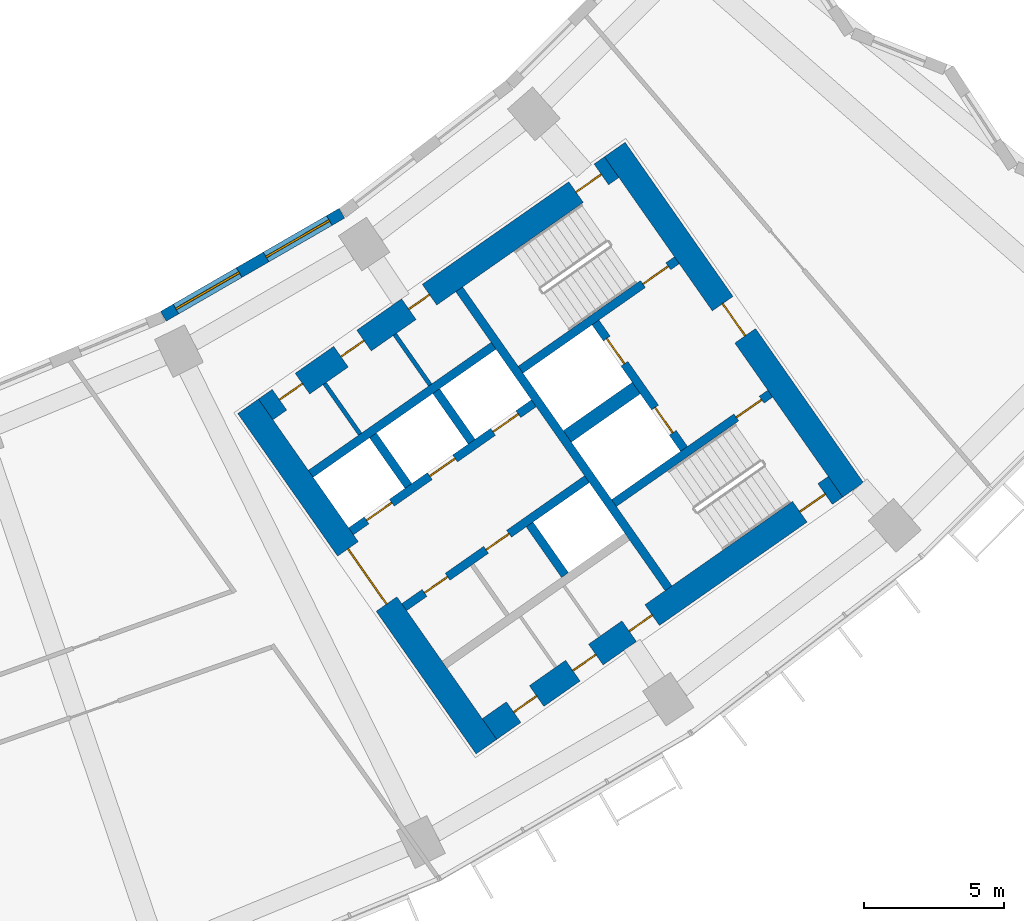
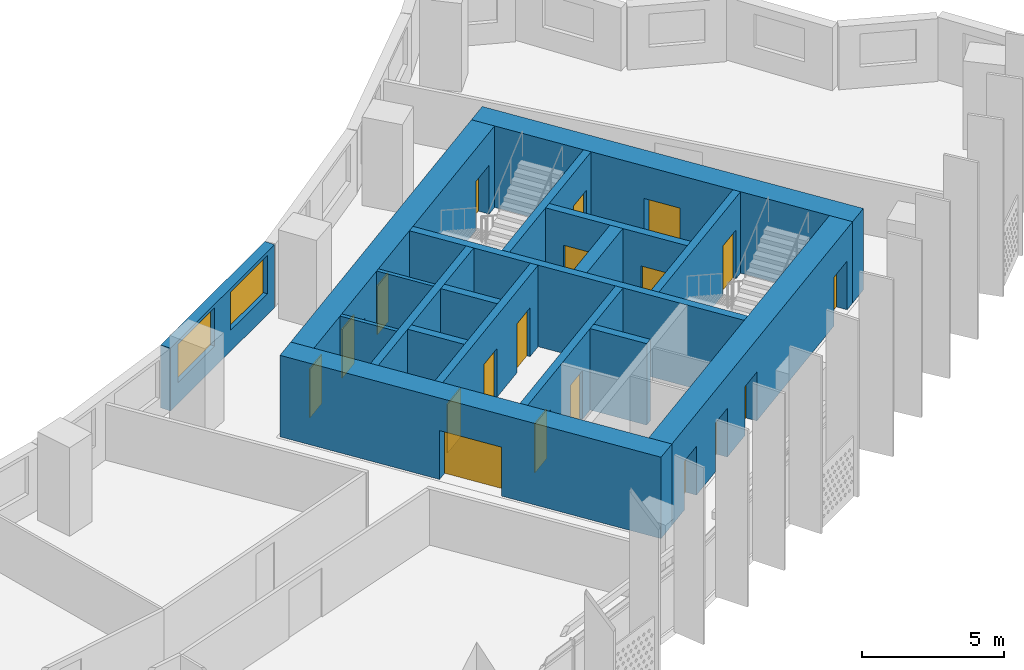
# One storey, part 7 of 30: 19 doors, 18 walls, 2 windows, 21 openings.
"""IFC4 building model written with IfcOpenShell, lengths in metres."""

from ifc_helpers import new_model, si_unit, direction, frame, frame_2d, origin, place, context, subcontext, project, spatial, rectangle, extrude, material, layer, layer_set, type_object, element, fill, save


model = new_model("IFC4")

# Units and contexts
model_context = context("Model", 3, precision=1e-05, world=origin(), true_north=direction((0.0, 1.0)))
body_context = subcontext(model_context, "Body", "Model", "MODEL_VIEW")
ifc_project = project(units=[si_unit("LENGTHUNIT", "METRE"), si_unit("AREAUNIT", "SQUARE_METRE"), si_unit("VOLUMEUNIT", "CUBIC_METRE"), si_unit("PLANEANGLEUNIT", "RADIAN"), si_unit("MASSUNIT", "GRAM", prefix="KILO")], contexts=[model_context])

# Site, building, storey
site_placement = place(None, origin())
site = spatial("IfcSite", under=ifc_project, at=site_placement, CompositionType="ELEMENT")
building_placement = place(site_placement, origin())
building = spatial("IfcBuilding", under=site, at=building_placement, Name="Qamariyya Broadcast Tower", CompositionType="ELEMENT")
storey_placement = place(building_placement, frame((0.0, 0.0, 117.699951171875)))
storey = spatial("IfcBuildingStorey", under=building, at=storey_placement, Name="L26", CompositionType="ELEMENT", Elevation=117.699951171875)

# Wall, opening, door
ifc_material_1 = material(Name="Concrete C70/85", Category="concrete")
ifc_layer_1 = layer(ifc_material_1, 0.89990234375)
ifc_layer_set_1 = layer_set([ifc_layer_1], Name="Core wall 900 mm Concrete C70/85")
wall_type_1 = type_object("IfcWallType", Name="Core wall 900 mm Concrete C70/85", PredefinedType="SHEAR", material=ifc_layer_set_1)
wall_1_placement = place(storey_placement, frame((36.716796875, -66.3369140625, 0.0), z_axis=(0.0, 0.0, 1.0), x_axis=(-0.573577477574, 0.819151315216, 0.0)))
wall_1 = element("IfcWall", 1, at=wall_1_placement, inside=storey, type_object=wall_type_1, Name="k-E-L26-WA", PredefinedType="SHEAR", context=body_context, shape_type="SweptSolid", body=[
    extrude(rectangle(XDim=14.800048828125, YDim=0.89990234375, at=frame_2d((7.39990234375, 0.0))), origin(), (0.0, 0.0, 1.0), 3.5),
])
opening_1_placement = place(wall_1_placement, frame((6.199951171875, 0.0, 0.0)))
opening_1 = element("IfcOpeningElement", 2, at=opening_1_placement, cuts=wall_1, Name="Opening KD3-E1", PredefinedType="OPENING", context=body_context, shape_type="SweptSolid", body=[
    extrude(rectangle(XDim=2.39990234375, YDim=2.10009765625, at=frame_2d((1.199951171875, 1.050048828125))), frame((0.0, 0.4599609375, 0.0), z_axis=(0.0, -1.0, 0.0), x_axis=(1.0, 0.0, 0.0)), (0.0, 0.0, 1.0), 0.919921875),
])
ifc_material_2 = material(Name="Steel fire-resisting door leaf", Category="steel")
door_type_1 = type_object("IfcDoorType", Name="Lift lobby door KD3", OperationType="DOUBLE_DOOR_SINGLE_SWING", PredefinedType="DOOR", material=ifc_material_2)
door_1_placement = place(opening_1_placement, origin())
door_1 = element("IfcDoor", 3, at=door_1_placement, inside=storey, type_object=door_type_1, Name="k-E-L26-WA-D1", OperationType="DOUBLE_DOOR_SINGLE_SWING", OverallHeight=2.10009765625, OverallWidth=2.39990234375, PredefinedType="DOOR", context=body_context, shape_type="SweptSolid", body=[
    extrude(rectangle(XDim=2.39990234375, YDim=2.10009765625, at=frame_2d((1.199951171875, 1.050048828125))), frame((0.0, 0.02490234375, 0.0), z_axis=(0.0, -1.0, 0.0), x_axis=(1.0, 0.0, 0.0)), (0.0, 0.0, 1.0), 0.050048828125),
])
fill(opening_1, door_1)

wall_2_placement = place(storey_placement, frame((49.778564453125, -57.191162109375, 0.0), z_axis=(0.0, 0.0, 1.0), x_axis=(-0.573577477574, 0.819151315216, 0.0)))
wall_2 = element("IfcWall", 4, at=wall_2_placement, inside=storey, type_object=wall_type_1, Name="k-E-L26-WH", PredefinedType="SHEAR", context=body_context, shape_type="SweptSolid", body=[
    extrude(rectangle(XDim=14.800048828125, YDim=0.89990234375, at=frame_2d((7.39990234375, 0.0))), origin(), (0.0, 0.0, 1.0), 3.5),
])
opening_2_placement = place(wall_2_placement, frame((6.699951171875, 0.0, 0.0)))
opening_2 = element("IfcOpeningElement", 5, at=opening_2_placement, cuts=wall_2, Name="Opening KD2-E1", PredefinedType="OPENING", context=body_context, shape_type="SweptSolid", body=[
    extrude(rectangle(XDim=1.39990234375, YDim=2.10009765625, at=frame_2d((0.699951171875, 1.050048828125))), frame((0.0, 0.4599609375, 0.0), z_axis=(0.0, -1.0, 0.0), x_axis=(1.0, 0.0, 0.0)), (0.0, 0.0, 1.0), 0.919921875),
])
door_type_2 = type_object("IfcDoorType", Name="Fire-fighting lobby door KD2", OperationType="DOUBLE_DOOR_SINGLE_SWING", PredefinedType="DOOR", material=ifc_material_2)
door_2_placement = place(opening_2_placement, origin())
door_2 = element("IfcDoor", 6, at=door_2_placement, inside=storey, type_object=door_type_2, Name="k-E-L26-WH-D15", OperationType="DOUBLE_DOOR_SINGLE_SWING", OverallHeight=2.10009765625, OverallWidth=1.39990234375, PredefinedType="DOOR", context=body_context, shape_type="SweptSolid", body=[
    extrude(rectangle(XDim=1.39990234375, YDim=2.10009765625, at=frame_2d((0.699951171875, 1.050048828125))), frame((0.0, 0.02490234375, 0.0), z_axis=(0.0, -1.0, 0.0), x_axis=(1.0, 0.0, 0.0)), (0.0, 0.0, 1.0), 0.050048828125),
])
fill(opening_2, door_2)

# Wall, openings, doors
wall_3_placement = place(storey_placement, frame((28.8544921875, -54.32421875, 0.0), z_axis=(0.0, 0.0, 1.0), x_axis=(0.819145767589, 0.573585400304, 0.0)))
wall_3 = element("IfcWall", 7, at=wall_3_placement, inside=storey, type_object=wall_type_1, Name="k-E-L26-WI", PredefinedType="SHEAR", context=body_context, shape_type="SweptSolid", body=[
    extrude(rectangle(XDim=15.04541015625, YDim=0.89990234375, at=frame_2d((7.522705078125, 0.0))), origin(), (0.0, 0.0, 1.0), 3.5),
])
opening_3_placement = place(wall_3_placement, frame((0.60009765625, 0.0, 0.0)))
opening_3 = element("IfcOpeningElement", 8, at=opening_3_placement, cuts=wall_3, Name="Opening KD7-E1", PredefinedType="OPENING", context=body_context, shape_type="SweptSolid", body=[
    extrude(rectangle(XDim=1.0, YDim=2.10009765625, at=frame_2d((0.5, 1.050048828125))), frame((0.0, 0.4599609375, 0.0), z_axis=(0.0, -1.0, 0.0), x_axis=(1.0, 0.0, 0.0)), (0.0, 0.0, 1.0), 0.919921875),
])
opening_4_placement = place(wall_3_placement, frame((3.27490234375, 0.0, 0.0)))
opening_4 = element("IfcOpeningElement", 9, at=opening_4_placement, cuts=wall_3, Name="Opening KD6-E2", PredefinedType="OPENING", context=body_context, shape_type="SweptSolid", body=[
    extrude(rectangle(XDim=1.0, YDim=2.10009765625, at=frame_2d((0.5, 1.050048828125))), frame((0.0, 0.4599609375, 0.0), z_axis=(0.0, -1.0, 0.0), x_axis=(1.0, 0.0, 0.0)), (0.0, 0.0, 1.0), 0.919921875),
])
opening_5_placement = place(wall_3_placement, frame((6.22509765625, 0.0, 0.0)))
opening_5 = element("IfcOpeningElement", 10, at=opening_5_placement, cuts=wall_3, Name="Opening KD5-E1", PredefinedType="OPENING", context=body_context, shape_type="SweptSolid", body=[
    extrude(rectangle(XDim=0.89990234375, YDim=2.10009765625, at=frame_2d((0.449951171875, 1.050048828125))), frame((0.0, 0.4599609375, 0.0), z_axis=(0.0, -1.0, 0.0), x_axis=(1.0, 0.0, 0.0)), (0.0, 0.0, 1.0), 0.919921875),
])
opening_6_placement = place(wall_3_placement, frame((13.495361328125, 0.0, 0.0)))
opening_6 = element("IfcOpeningElement", 11, at=opening_6_placement, cuts=wall_3, Name="Opening KD1-E1", PredefinedType="OPENING", context=body_context, shape_type="SweptSolid", body=[
    extrude(rectangle(XDim=1.10009765625, YDim=2.10009765625, at=frame_2d((0.550048828125, 1.050048828125))), frame((0.0, 0.4599609375, 0.0), z_axis=(0.0, -1.0, 0.0), x_axis=(1.0, 0.0, 0.0)), (0.0, 0.0, 1.0), 0.919921875),
])
door_type_3 = type_object("IfcDoorType", Name="Accessible toilet door KD7", OperationType="SINGLE_SWING_LEFT", PredefinedType="DOOR", material=ifc_material_2)
door_3_placement = place(opening_3_placement, origin())
door_3 = element("IfcDoor", 12, at=door_3_placement, inside=storey, type_object=door_type_3, Name="k-E-L26-WI-D7", OperationType="SINGLE_SWING_LEFT", OverallHeight=2.10009765625, OverallWidth=1.0, PredefinedType="DOOR", context=body_context, shape_type="SweptSolid", body=[
    extrude(rectangle(XDim=1.0, YDim=2.10009765625, at=frame_2d((0.5, 1.050048828125))), frame((0.0, 0.02490234375, 0.0), z_axis=(0.0, -1.0, 0.0), x_axis=(1.0, 0.0, 0.0)), (0.0, 0.0, 1.0), 0.050048828125),
])
fill(opening_3, door_3)
door_type_4 = type_object("IfcDoorType", Name="Core room door KD6", OperationType="SINGLE_SWING_LEFT", PredefinedType="DOOR", material=ifc_material_2)
door_4_placement = place(opening_4_placement, origin())
door_4 = element("IfcDoor", 13, at=door_4_placement, inside=storey, type_object=door_type_4, Name="k-E-L26-WI-D8", OperationType="SINGLE_SWING_RIGHT", OverallHeight=2.10009765625, OverallWidth=1.0, PredefinedType="DOOR", context=body_context, shape_type="SweptSolid", body=[
    extrude(rectangle(XDim=1.0, YDim=2.10009765625, at=frame_2d((0.5, 1.050048828125))), frame((0.0, 0.02490234375, 0.0), z_axis=(0.0, -1.0, 0.0), x_axis=(1.0, 0.0, 0.0)), (0.0, 0.0, 1.0), 0.050048828125),
])
fill(opening_4, door_4)
door_type_5 = type_object("IfcDoorType", Name="Stair door KD1", OperationType="SINGLE_SWING_LEFT", PredefinedType="DOOR", material=ifc_material_2)
door_5_placement = place(opening_6_placement, origin())
door_5 = element("IfcDoor", 14, at=door_5_placement, inside=storey, type_object=door_type_5, Name="k-E-L26-WI-D16", OperationType="SINGLE_SWING_RIGHT", OverallHeight=2.10009765625, OverallWidth=1.10009765625, PredefinedType="DOOR", context=body_context, shape_type="SweptSolid", body=[
    extrude(rectangle(XDim=1.10009765625, YDim=2.10009765625, at=frame_2d((0.550048828125, 1.050048828125))), frame((0.0, 0.02490234375, 0.0), z_axis=(0.0, -1.0, 0.0), x_axis=(1.0, 0.0, 0.0)), (0.0, 0.0, 1.0), 0.050048828125),
])
fill(opening_6, door_5)
door_type_6 = type_object("IfcDoorType", Name="Toilet door KD5", OperationType="SINGLE_SWING_LEFT", PredefinedType="DOOR", material=ifc_material_2)
door_6_placement = place(opening_5_placement, origin())
door_6 = element("IfcDoor", 15, at=door_6_placement, inside=storey, type_object=door_type_6, Name="k-E-L26-WI-D9", OperationType="SINGLE_SWING_LEFT", OverallHeight=2.10009765625, OverallWidth=0.89990234375, PredefinedType="DOOR", context=body_context, shape_type="SweptSolid", body=[
    extrude(rectangle(XDim=0.89990234375, YDim=2.10009765625, at=frame_2d((0.449951171875, 1.050048828125))), frame((0.0, 0.02490234375, 0.0), z_axis=(0.0, -1.0, 0.0), x_axis=(1.0, 0.0, 0.0)), (0.0, 0.0, 1.0), 0.050048828125),
])
fill(opening_5, door_6)

wall_4_placement = place(storey_placement, frame((36.827392578125, -65.710205078125, 0.0), z_axis=(0.0, 0.0, 1.0), x_axis=(0.819153391756, 0.573574511963, 0.0)))
wall_4 = element("IfcWall", 16, at=wall_4_placement, inside=storey, type_object=wall_type_1, Name="k-E-L26-WO", PredefinedType="SHEAR", context=body_context, shape_type="SweptSolid", body=[
    extrude(rectangle(XDim=15.04541015625, YDim=0.89990234375, at=frame_2d((7.522705078125, 0.0))), origin(), (0.0, 0.0, 1.0), 3.5),
])
opening_7_placement = place(wall_4_placement, frame((1.050048828125, 0.0, 0.0)))
opening_7 = element("IfcOpeningElement", 17, at=opening_7_placement, cuts=wall_4, Name="Opening KD4-E2", PredefinedType="OPENING", context=body_context, shape_type="SweptSolid", body=[
    extrude(rectangle(XDim=1.0, YDim=2.10009765625, at=frame_2d((0.5, 1.050048828125))), frame((0.0, 0.4599609375, 0.0), z_axis=(0.0, -1.0, 0.0), x_axis=(1.0, 0.0, 0.0)), (0.0, 0.0, 1.0), 0.919921875),
])
opening_8_placement = place(wall_4_placement, frame((3.625, 0.0, 0.0)))
opening_8 = element("IfcOpeningElement", 18, at=opening_8_placement, cuts=wall_4, Name="Opening KD4-E3", PredefinedType="OPENING", context=body_context, shape_type="SweptSolid", body=[
    extrude(rectangle(XDim=1.0, YDim=2.10009765625, at=frame_2d((0.5, 1.050048828125))), frame((0.0, 0.4599609375, 0.0), z_axis=(0.0, -1.0, 0.0), x_axis=(1.0, 0.0, 0.0)), (0.0, 0.0, 1.0), 0.919921875),
])
opening_9_placement = place(wall_4_placement, frame((6.074951171875, 0.0, 0.0)))
opening_9 = element("IfcOpeningElement", 19, at=opening_9_placement, cuts=wall_4, Name="Opening KD6-E3", PredefinedType="OPENING", context=body_context, shape_type="SweptSolid", body=[
    extrude(rectangle(XDim=1.0, YDim=2.10009765625, at=frame_2d((0.5, 1.050048828125))), frame((0.0, 0.4599609375, 0.0), z_axis=(0.0, -1.0, 0.0), x_axis=(1.0, 0.0, 0.0)), (0.0, 0.0, 1.0), 0.919921875),
])
opening_10_placement = place(wall_4_placement, frame((13.495361328125, 0.0, 0.0)))
opening_10 = element("IfcOpeningElement", 20, at=opening_10_placement, cuts=wall_4, Name="Opening KD1-E3", PredefinedType="OPENING", context=body_context, shape_type="SweptSolid", body=[
    extrude(rectangle(XDim=1.10009765625, YDim=2.10009765625, at=frame_2d((0.550048828125, 1.050048828125))), frame((0.0, 0.4599609375, 0.0), z_axis=(0.0, -1.0, 0.0), x_axis=(1.0, 0.0, 0.0)), (0.0, 0.0, 1.0), 0.919921875),
])
door_7_placement = place(opening_9_placement, origin())
door_7 = element("IfcDoor", 21, at=door_7_placement, inside=storey, type_object=door_type_4, Name="k-E-L26-WO-D12", OperationType="SINGLE_SWING_RIGHT", OverallHeight=2.10009765625, OverallWidth=1.0, PredefinedType="DOOR", context=body_context, shape_type="SweptSolid", body=[
    extrude(rectangle(XDim=1.0, YDim=2.10009765625, at=frame_2d((0.5, 1.050048828125))), frame((0.0, 0.02490234375, 0.0), z_axis=(0.0, -1.0, 0.0), x_axis=(1.0, 0.0, 0.0)), (0.0, 0.0, 1.0), 0.050048828125),
])
fill(opening_9, door_7)
door_type_7 = type_object("IfcDoorType", Name="Riser and plant door KD4", OperationType="SINGLE_SWING_LEFT", PredefinedType="DOOR", material=ifc_material_2)
door_8_placement = place(opening_7_placement, origin())
door_8 = element("IfcDoor", 22, at=door_8_placement, inside=storey, type_object=door_type_7, Name="k-E-L26-WO-D10", OperationType="SINGLE_SWING_RIGHT", OverallHeight=2.10009765625, OverallWidth=1.0, PredefinedType="DOOR", context=body_context, shape_type="SweptSolid", body=[
    extrude(rectangle(XDim=1.0, YDim=2.10009765625, at=frame_2d((0.5, 1.050048828125))), frame((0.0, 0.02490234375, 0.0), z_axis=(0.0, -1.0, 0.0), x_axis=(1.0, 0.0, 0.0)), (0.0, 0.0, 1.0), 0.050048828125),
])
fill(opening_7, door_8)
door_9_placement = place(opening_8_placement, origin())
door_9 = element("IfcDoor", 23, at=door_9_placement, inside=storey, type_object=door_type_7, Name="k-E-L26-WO-D11", OperationType="SINGLE_SWING_LEFT", OverallHeight=2.10009765625, OverallWidth=1.0, PredefinedType="DOOR", context=body_context, shape_type="SweptSolid", body=[
    extrude(rectangle(XDim=1.0, YDim=2.10009765625, at=frame_2d((0.5, 1.050048828125))), frame((0.0, 0.02490234375, 0.0), z_axis=(0.0, -1.0, 0.0), x_axis=(1.0, 0.0, 0.0)), (0.0, 0.0, 1.0), 0.050048828125),
])
fill(opening_8, door_9)
door_10_placement = place(opening_10_placement, origin())
door_10 = element("IfcDoor", 24, at=door_10_placement, inside=storey, type_object=door_type_5, Name="k-E-L26-WO-D18", OperationType="SINGLE_SWING_LEFT", OverallHeight=2.10009765625, OverallWidth=1.10009765625, PredefinedType="DOOR", context=body_context, shape_type="SweptSolid", body=[
    extrude(rectangle(XDim=1.10009765625, YDim=2.10009765625, at=frame_2d((0.550048828125, 1.050048828125))), frame((0.0, 0.02490234375, 0.0), z_axis=(0.0, -1.0, 0.0), x_axis=(1.0, 0.0, 0.0)), (0.0, 0.0, 1.0), 0.050048828125),
])
fill(opening_10, door_10)

# Walls
ifc_material_3 = material(Name="Concrete C60/75", Category="concrete")
ifc_layer_2 = layer(ifc_material_3, 0.5)
ifc_layer_set_2 = layer_set([ifc_layer_2], Name="Fire-fighting lobby divider wall 500 mm Concrete C60/75")
wall_type_2 = type_object("IfcWallType", Name="Fire-fighting lobby divider wall 500 mm Concrete C60/75", PredefinedType="SOLIDWALL", material=ifc_layer_set_2)
wall_5_placement = place(storey_placement, frame((39.59912109375, -55.28515625, 0.0), z_axis=(0.0, 0.0, 1.0), x_axis=(0.819136323161, 0.573598887793, 0.0)))
element("IfcWall", 25, at=wall_5_placement, inside=storey, type_object=wall_type_2, Name="k-E-L26-FD", PredefinedType="SOLIDWALL", context=body_context, shape_type="SweptSolid", body=[
    extrude(rectangle(XDim=2.999755859375, YDim=0.5, at=frame_2d((1.5, 0.0))), origin(), (0.0, 0.0, 1.0), 3.5),
])
ifc_material_4 = material(Name="Gypsum board partition on steel studs", Category="steel")
ifc_layer_3 = layer(ifc_material_4, 0.14990234375)
ifc_layer_set_3 = layer_set([ifc_layer_3], Name="Gypsum board partition 150 mm")
wall_type_3 = type_object("IfcWallType", Name="Gypsum board partition 150 mm", PredefinedType="PARTITIONING", material=ifc_layer_set_3)
wall_6_placement = place(storey_placement, frame((32.2177734375, -55.204345703125, 0.0), z_axis=(0.0, 0.0, 1.0), x_axis=(-0.573581496053, 0.819148501424, 0.0)))
element("IfcWall", 26, at=wall_6_placement, inside=storey, type_object=wall_type_3, Name="k-E-L26-NP225", PredefinedType="PARTITIONING", context=body_context, shape_type="SweptSolid", body=[
    extrude(rectangle(XDim=2.2001953125, YDim=0.14990234375, at=frame_2d((1.10009765625, 0.0))), origin(), (0.0, 0.0, 1.0), 3.5),
])
wall_7_placement = place(storey_placement, frame((34.716064453125, -53.454833984375, 0.0), z_axis=(0.0, 0.0, 1.0), x_axis=(-0.573507030513, 0.819200638399, 0.0)))
element("IfcWall", 27, at=wall_7_placement, inside=storey, type_object=wall_type_3, Name="k-E-L26-NP530", PredefinedType="PARTITIONING", context=body_context, shape_type="SweptSolid", body=[
    extrude(rectangle(XDim=2.199951171875, YDim=0.14990234375, at=frame_2d((1.10009765625, 0.0))), origin(), (0.0, 0.0, 1.0), 3.5),
])
ifc_layer_4 = layer(ifc_material_3, 0.300048828125)
ifc_layer_set_4 = layer_set([ifc_layer_4], Name="Lift shaft wall 300 mm Concrete C60/75")
wall_type_4 = type_object("IfcWallType", Name="Lift shaft wall 300 mm Concrete C60/75", PredefinedType="SOLIDWALL", material=ifc_layer_set_4)
wall_8_placement = place(storey_placement, frame((43.204345703125, -60.69580078125, 0.0), z_axis=(0.0, 0.0, 1.0), x_axis=(-0.573571992966, 0.819155155563, 0.0)))
element("IfcWall", 28, at=wall_8_placement, inside=storey, type_object=wall_type_4, Name="k-E-L26-WL", PredefinedType="SOLIDWALL", context=body_context, shape_type="SweptSolid", body=[
    extrude(rectangle(XDim=13.000244140625, YDim=0.300048828125, at=frame_2d((6.5, 0.0))), origin(), (0.0, 0.0, 1.0), 3.5),
])

# Wall, openings, doors
wall_9_placement = place(storey_placement, frame((31.89453125, -58.66552734375, 0.0), z_axis=(0.0, 0.0, 1.0), x_axis=(0.819166993208, 0.573555086491, 0.0)))
wall_9 = element("IfcWall", 29, at=wall_9_placement, inside=storey, type_object=wall_type_4, Name="k-E-L26-NF0", PredefinedType="SOLIDWALL", context=body_context, shape_type="SweptSolid", body=[
    extrude(rectangle(XDim=7.9501953125, YDim=0.300048828125, at=frame_2d((3.97509765625, 0.0))), origin(), (0.0, 0.0, 1.0), 3.5),
])
opening_11_placement = place(wall_9_placement, frame((0.675048828125, 0.0, 0.0)))
opening_11 = element("IfcOpeningElement", 30, at=opening_11_placement, cuts=wall_9, Name="Opening LD", PredefinedType="OPENING", context=body_context, shape_type="SweptSolid", body=[
    extrude(rectangle(XDim=1.10009765625, YDim=2.10009765625, at=frame_2d((0.550048828125, 1.050048828125))), frame((0.0, 0.159912109375, 0.0), z_axis=(0.0, -1.0, 0.0), x_axis=(1.0, 0.0, 0.0)), (0.0, 0.0, 1.0), 0.320068359375),
])
opening_12_placement = place(wall_9_placement, frame((3.425048828125, 0.0, 0.0)))
opening_12 = element("IfcOpeningElement", 31, at=opening_12_placement, cuts=wall_9, Name="Opening LD", PredefinedType="OPENING", context=body_context, shape_type="SweptSolid", body=[
    extrude(rectangle(XDim=1.10009765625, YDim=2.10009765625, at=frame_2d((0.550048828125, 1.050048828125))), frame((0.0, 0.159912109375, 0.0), z_axis=(0.0, -1.0, 0.0), x_axis=(1.0, 0.0, 0.0)), (0.0, 0.0, 1.0), 0.320068359375),
])
opening_13_placement = place(wall_9_placement, frame((6.175048828125, 0.0, 0.0)))
opening_13 = element("IfcOpeningElement", 32, at=opening_13_placement, cuts=wall_9, Name="Opening LD", PredefinedType="OPENING", context=body_context, shape_type="SweptSolid", body=[
    extrude(rectangle(XDim=1.10009765625, YDim=2.10009765625, at=frame_2d((0.550048828125, 1.050048828125))), frame((0.0, 0.159912109375, 0.0), z_axis=(0.0, -1.0, 0.0), x_axis=(1.0, 0.0, 0.0)), (0.0, 0.0, 1.0), 0.320068359375),
])
door_type_8 = type_object("IfcDoorType", Name="Lift landing door LD", OperationType="DOUBLE_DOOR_SLIDING", PredefinedType="DOOR", material=ifc_material_2)
door_11_placement = place(opening_11_placement, origin())
door_11 = element("IfcDoor", 33, at=door_11_placement, inside=storey, type_object=door_type_8, Name="k-E-L26-NF0-D2", OperationType="DOUBLE_DOOR_SLIDING", OverallHeight=2.10009765625, OverallWidth=1.10009765625, PredefinedType="DOOR", context=body_context, shape_type="SweptSolid", body=[
    extrude(rectangle(XDim=1.10009765625, YDim=2.10009765625, at=frame_2d((0.550048828125, 1.050048828125))), frame((0.0, 0.02490234375, 0.0), z_axis=(0.0, -1.0, 0.0), x_axis=(1.0, 0.0, 0.0)), (0.0, 0.0, 1.0), 0.050048828125),
])
fill(opening_11, door_11)
door_12_placement = place(opening_12_placement, origin())
door_12 = element("IfcDoor", 34, at=door_12_placement, inside=storey, type_object=door_type_8, Name="k-E-L26-NF0-D3", OperationType="DOUBLE_DOOR_SLIDING", OverallHeight=2.10009765625, OverallWidth=1.10009765625, PredefinedType="DOOR", context=body_context, shape_type="SweptSolid", body=[
    extrude(rectangle(XDim=1.10009765625, YDim=2.10009765625, at=frame_2d((0.550048828125, 1.050048828125))), frame((0.0, 0.02490234375, 0.0), z_axis=(0.0, -1.0, 0.0), x_axis=(1.0, 0.0, 0.0)), (0.0, 0.0, 1.0), 0.050048828125),
])
fill(opening_12, door_12)
door_13_placement = place(opening_13_placement, origin())
door_13 = element("IfcDoor", 35, at=door_13_placement, inside=storey, type_object=door_type_8, Name="k-E-L26-NF0-D4", OperationType="DOUBLE_DOOR_SLIDING", OverallHeight=2.10009765625, OverallWidth=1.10009765625, PredefinedType="DOOR", context=body_context, shape_type="SweptSolid", body=[
    extrude(rectangle(XDim=1.10009765625, YDim=2.10009765625, at=frame_2d((0.550048828125, 1.050048828125))), frame((0.0, 0.02490234375, 0.0), z_axis=(0.0, -1.0, 0.0), x_axis=(1.0, 0.0, 0.0)), (0.0, 0.0, 1.0), 0.050048828125),
])
fill(opening_13, door_13)

# Walls
wall_10_placement = place(storey_placement, frame((30.460693359375, -56.61767578125, 0.0), z_axis=(0.0, 0.0, 1.0), x_axis=(0.819142461705, 0.573590121456, 0.0)))
element("IfcWall", 36, at=wall_10_placement, inside=storey, type_object=wall_type_4, Name="k-E-L26-NB0", PredefinedType="SOLIDWALL", context=body_context, shape_type="SweptSolid", body=[
    extrude(rectangle(XDim=7.949951171875, YDim=0.300048828125, at=frame_2d((3.97509765625, 0.0))), origin(), (0.0, 0.0, 1.0), 3.5),
])
wall_11_placement = place(storey_placement, frame((33.9384765625, -57.051513671875, 0.0), z_axis=(0.0, 0.0, 1.0), x_axis=(-0.573581496053, 0.819148501424, 0.0)))
element("IfcWall", 37, at=wall_11_placement, inside=storey, type_object=wall_type_4, Name="k-E-L26-ND0", PredefinedType="SOLIDWALL", context=body_context, shape_type="SweptSolid", body=[
    extrude(rectangle(XDim=2.2001953125, YDim=0.300048828125, at=frame_2d((1.10009765625, 0.0))), origin(), (0.0, 0.0, 1.0), 3.5),
])
wall_12_placement = place(storey_placement, frame((36.19091796875, -55.47412109375, 0.0), z_axis=(0.0, 0.0, 1.0), x_axis=(-0.573507030513, 0.819200638399, 0.0)))
element("IfcWall", 38, at=wall_12_placement, inside=storey, type_object=wall_type_4, Name="k-E-L26-ND1", PredefinedType="SOLIDWALL", context=body_context, shape_type="SweptSolid", body=[
    extrude(rectangle(XDim=2.199951171875, YDim=0.300048828125, at=frame_2d((1.10009765625, 0.0))), origin(), (0.0, 0.0, 1.0), 3.5),
])

# Wall, openings, doors
wall_13_placement = place(storey_placement, frame((33.787353515625, -61.368896484375, 0.0), z_axis=(0.0, 0.0, 1.0), x_axis=(0.819152564888, 0.573575692858, 0.0)))
wall_13 = element("IfcWall", 39, at=wall_13_placement, inside=storey, type_object=wall_type_4, Name="k-E-L26-SF0", PredefinedType="SOLIDWALL", context=body_context, shape_type="SweptSolid", body=[
    extrude(rectangle(XDim=7.9501953125, YDim=0.300048828125, at=frame_2d((3.97509765625, 0.0))), origin(), (0.0, 0.0, 1.0), 3.5),
])
opening_14_placement = place(wall_13_placement, frame((0.887451171875, 0.0, 0.0)))
opening_14 = element("IfcOpeningElement", 40, at=opening_14_placement, cuts=wall_13, Name="Opening KD4-E1", PredefinedType="OPENING", context=body_context, shape_type="SweptSolid", body=[
    extrude(rectangle(XDim=1.0, YDim=2.10009765625, at=frame_2d((0.5, 1.050048828125))), frame((0.0, 0.159912109375, 0.0), z_axis=(0.0, -1.0, 0.0), x_axis=(1.0, 0.0, 0.0)), (0.0, 0.0, 1.0), 0.320068359375),
])
opening_15_placement = place(wall_13_placement, frame((3.5625, 0.0, 0.0)))
opening_15 = element("IfcOpeningElement", 41, at=opening_15_placement, cuts=wall_13, Name="Opening KD6-E1", PredefinedType="OPENING", context=body_context, shape_type="SweptSolid", body=[
    extrude(rectangle(XDim=1.0, YDim=2.10009765625, at=frame_2d((0.5, 1.050048828125))), frame((0.0, 0.159912109375, 0.0), z_axis=(0.0, -1.0, 0.0), x_axis=(1.0, 0.0, 0.0)), (0.0, 0.0, 1.0), 0.320068359375),
])
door_14_placement = place(opening_15_placement, origin())
door_14 = element("IfcDoor", 42, at=door_14_placement, inside=storey, type_object=door_type_4, Name="k-E-L26-SF0-D6", OperationType="SINGLE_SWING_RIGHT", OverallHeight=2.10009765625, OverallWidth=1.0, PredefinedType="DOOR", context=body_context, shape_type="SweptSolid", body=[
    extrude(rectangle(XDim=1.0, YDim=2.10009765625, at=frame_2d((0.5, 1.050048828125))), frame((0.0, 0.02490234375, 0.0), z_axis=(0.0, -1.0, 0.0), x_axis=(1.0, 0.0, 0.0)), (0.0, 0.0, 1.0), 0.050048828125),
])
fill(opening_15, door_14)
door_15_placement = place(opening_14_placement, origin())
door_15 = element("IfcDoor", 43, at=door_15_placement, inside=storey, type_object=door_type_7, Name="k-E-L26-SF0-D5", OperationType="SINGLE_SWING_LEFT", OverallHeight=2.10009765625, OverallWidth=1.0, PredefinedType="DOOR", context=body_context, shape_type="SweptSolid", body=[
    extrude(rectangle(XDim=1.0, YDim=2.10009765625, at=frame_2d((0.5, 1.050048828125))), frame((0.0, 0.02490234375, 0.0), z_axis=(0.0, -1.0, 0.0), x_axis=(1.0, 0.0, 0.0)), (0.0, 0.0, 1.0), 0.050048828125),
])
fill(opening_14, door_15)

# Wall
wall_14_placement = place(storey_placement, frame((38.255859375, -58.423095703125, 0.0), z_axis=(0.0, 0.0, 1.0), x_axis=(0.573633636671, -0.819111989218, 0.0)))
element("IfcWall", 44, at=wall_14_placement, inside=storey, type_object=wall_type_4, Name="k-E-L26-SD1", PredefinedType="SOLIDWALL", context=body_context, shape_type="SweptSolid", body=[
    extrude(rectangle(XDim=2.199951171875, YDim=0.300048828125, at=frame_2d((1.10009765625, 0.0))), origin(), (0.0, 0.0, 1.0), 3.5),
])

# Wall, opening, door
wall_15_placement = place(storey_placement, frame((37.935546875, -52.90966796875, 0.0), z_axis=(0.0, 0.0, 1.0), x_axis=(0.819147518138, 0.57358290031, 0.0)))
wall_15 = element("IfcWall", 45, at=wall_15_placement, inside=storey, type_object=wall_type_4, Name="k-E-L26-NW", PredefinedType="SOLIDWALL", context=body_context, shape_type="SweptSolid", body=[
    extrude(rectangle(XDim=6.79541015625, YDim=0.300048828125, at=frame_2d((3.397705078125, 0.0))), origin(), (0.0, 0.0, 1.0), 3.5),
])
opening_16_placement = place(wall_15_placement, frame((5.3203125, 0.0, 0.0)))
opening_16 = element("IfcOpeningElement", 46, at=opening_16_placement, cuts=wall_15, Name="Opening KD1-E2", PredefinedType="OPENING", context=body_context, shape_type="SweptSolid", body=[
    extrude(rectangle(XDim=1.10009765625, YDim=2.10009765625, at=frame_2d((0.550048828125, 1.050048828125))), frame((0.0, 0.159912109375, 0.0), z_axis=(0.0, -1.0, 0.0), x_axis=(1.0, 0.0, 0.0)), (0.0, 0.0, 1.0), 0.320068359375),
])
door_16_placement = place(opening_16_placement, origin())
door_16 = element("IfcDoor", 47, at=door_16_placement, inside=storey, type_object=door_type_5, Name="k-E-L26-NW-D17", OperationType="SINGLE_SWING_LEFT", OverallHeight=2.10009765625, OverallWidth=1.10009765625, PredefinedType="DOOR", context=body_context, shape_type="SweptSolid", body=[
    extrude(rectangle(XDim=1.10009765625, YDim=2.10009765625, at=frame_2d((0.550048828125, 1.050048828125))), frame((0.0, 0.02490234375, 0.0), z_axis=(0.0, -1.0, 0.0), x_axis=(1.0, 0.0, 0.0)), (0.0, 0.0, 1.0), 0.050048828125),
])
fill(opening_16, door_16)

wall_16_placement = place(storey_placement, frame((41.262451171875, -57.66064453125, 0.0), z_axis=(0.0, 0.0, 1.0), x_axis=(0.819164398642, 0.573558792102, 0.0)))
wall_16 = element("IfcWall", 48, at=wall_16_placement, inside=storey, type_object=wall_type_4, Name="k-E-L26-SW", PredefinedType="SOLIDWALL", context=body_context, shape_type="SweptSolid", body=[
    extrude(rectangle(XDim=6.795166015625, YDim=0.300048828125, at=frame_2d((3.3974609375, 0.0))), origin(), (0.0, 0.0, 1.0), 3.5),
])
opening_17_placement = place(wall_16_placement, frame((5.3203125, 0.0, 0.0)))
opening_17 = element("IfcOpeningElement", 49, at=opening_17_placement, cuts=wall_16, Name="Opening KD1-E4", PredefinedType="OPENING", context=body_context, shape_type="SweptSolid", body=[
    extrude(rectangle(XDim=1.10009765625, YDim=2.10009765625, at=frame_2d((0.550048828125, 1.050048828125))), frame((0.0, 0.159912109375, 0.0), z_axis=(0.0, -1.0, 0.0), x_axis=(1.0, 0.0, 0.0)), (0.0, 0.0, 1.0), 0.320068359375),
])
door_17_placement = place(opening_17_placement, origin())
door_17 = element("IfcDoor", 50, at=door_17_placement, inside=storey, type_object=door_type_5, Name="k-E-L26-SW-D19", OperationType="SINGLE_SWING_LEFT", OverallHeight=2.10009765625, OverallWidth=1.10009765625, PredefinedType="DOOR", context=body_context, shape_type="SweptSolid", body=[
    extrude(rectangle(XDim=1.10009765625, YDim=2.10009765625, at=frame_2d((0.550048828125, 1.050048828125))), frame((0.0, 0.02490234375, 0.0), z_axis=(0.0, -1.0, 0.0), x_axis=(1.0, 0.0, 0.0)), (0.0, 0.0, 1.0), 0.050048828125),
])
fill(opening_17, door_17)

# Wall, openings, doors
wall_17_placement = place(storey_placement, frame((43.756591796875, -55.731201171875, 0.0), z_axis=(0.0, 0.0, 1.0), x_axis=(-0.573536818435, 0.819179783625, 0.0)))
wall_17 = element("IfcWall", 51, at=wall_17_placement, inside=storey, type_object=wall_type_4, Name="k-E-L26-FF", PredefinedType="SOLIDWALL", context=body_context, shape_type="SweptSolid", body=[
    extrude(rectangle(XDim=5.500244140625, YDim=0.300048828125, at=frame_2d((2.75, 0.0))), origin(), (0.0, 0.0, 1.0), 3.5),
])
opening_18_placement = place(wall_17_placement, frame((0.699951171875, 0.0, 0.0)))
opening_18 = element("IfcOpeningElement", 52, at=opening_18_placement, cuts=wall_17, Name="Opening LD", PredefinedType="OPENING", context=body_context, shape_type="SweptSolid", body=[
    extrude(rectangle(XDim=1.10009765625, YDim=2.10009765625, at=frame_2d((0.550048828125, 1.050048828125))), frame((0.0, 0.159912109375, 0.0), z_axis=(0.0, -1.0, 0.0), x_axis=(1.0, 0.0, 0.0)), (0.0, 0.0, 1.0), 0.320068359375),
])
opening_19_placement = place(wall_17_placement, frame((3.699951171875, 0.0, 0.0)))
opening_19 = element("IfcOpeningElement", 53, at=opening_19_placement, cuts=wall_17, Name="Opening LD", PredefinedType="OPENING", context=body_context, shape_type="SweptSolid", body=[
    extrude(rectangle(XDim=1.10009765625, YDim=2.10009765625, at=frame_2d((0.550048828125, 1.050048828125))), frame((0.0, 0.159912109375, 0.0), z_axis=(0.0, -1.0, 0.0), x_axis=(1.0, 0.0, 0.0)), (0.0, 0.0, 1.0), 0.320068359375),
])
door_18_placement = place(opening_18_placement, origin())
door_18 = element("IfcDoor", 54, at=door_18_placement, inside=storey, type_object=door_type_8, Name="k-E-L26-FF-D13", OperationType="DOUBLE_DOOR_SLIDING", OverallHeight=2.10009765625, OverallWidth=1.10009765625, PredefinedType="DOOR", context=body_context, shape_type="SweptSolid", body=[
    extrude(rectangle(XDim=1.10009765625, YDim=2.10009765625, at=frame_2d((0.550048828125, 1.050048828125))), frame((0.0, 0.02490234375, 0.0), z_axis=(0.0, -1.0, 0.0), x_axis=(1.0, 0.0, 0.0)), (0.0, 0.0, 1.0), 0.050048828125),
])
fill(opening_18, door_18)
door_19_placement = place(opening_19_placement, origin())
door_19 = element("IfcDoor", 55, at=door_19_placement, inside=storey, type_object=door_type_8, Name="k-E-L26-FF-D14", OperationType="DOUBLE_DOOR_SLIDING", OverallHeight=2.10009765625, OverallWidth=1.10009765625, PredefinedType="DOOR", context=body_context, shape_type="SweptSolid", body=[
    extrude(rectangle(XDim=1.10009765625, YDim=2.10009765625, at=frame_2d((0.550048828125, 1.050048828125))), frame((0.0, 0.02490234375, 0.0), z_axis=(0.0, -1.0, 0.0), x_axis=(1.0, 0.0, 0.0)), (0.0, 0.0, 1.0), 0.050048828125),
])
fill(opening_19, door_19)

# Wall, openings, windows
ifc_material_5 = material(Name="Terracotta", Category="masonry")
ifc_layer_5 = layer(ifc_material_5, 0.39990234375)
ifc_layer_set_5 = layer_set([ifc_layer_5], Name="Terracotta clad wall 400")
wall_type_5 = type_object("IfcWallType", Name="Terracotta clad wall 400", PredefinedType="SOLIDWALL", material=ifc_layer_set_5)
wall_18_placement = place(storey_placement, frame((31.568359375, -47.33642578125, 0.0), z_axis=(0.0, 0.0, 1.0), x_axis=(-0.866030525931, -0.499991128077, 0.0)))
wall_18 = element("IfcWall", 56, at=wall_18_placement, inside=storey, type_object=wall_type_5, Name="e-wl-L26-in130", PredefinedType="SOLIDWALL", context=body_context, shape_type="SweptSolid", body=[
    extrude(rectangle(XDim=7.341552734375, YDim=0.39990234375, at=frame_2d((3.6708984375, 0.0))), origin(), (0.0, 0.0, 1.0), 2.699951171875),
])
opening_20_placement = place(wall_18_placement, frame((4.224853515625, 0.0, 0.89990234375)))
opening_20 = element("IfcOpeningElement", 57, at=opening_20_placement, cuts=wall_18, Name="Opening W1", PredefinedType="OPENING", context=body_context, shape_type="SweptSolid", body=[
    extrude(rectangle(XDim=2.60009765625, YDim=1.64990234375, at=frame_2d((1.300048828125, 0.824951171875))), frame((0.0, 0.2099609375, 0.0), z_axis=(0.0, -1.0, 0.0), x_axis=(1.0, 0.0, 0.0)), (0.0, 0.0, 1.0), 0.419921875),
])
opening_21_placement = place(wall_18_placement, frame((0.5166015625, 0.0, 0.89990234375)))
opening_21 = element("IfcOpeningElement", 58, at=opening_21_placement, cuts=wall_18, Name="Opening W1", PredefinedType="OPENING", context=body_context, shape_type="SweptSolid", body=[
    extrude(rectangle(XDim=2.60009765625, YDim=1.64990234375, at=frame_2d((1.300048828125, 0.824951171875))), frame((0.0, 0.2099609375, 0.0), z_axis=(0.0, -1.0, 0.0), x_axis=(1.0, 0.0, 0.0)), (0.0, 0.0, 1.0), 0.419921875),
])
ifc_material_6 = material(Name="Clear low-e double glazed unit in aluminium frame", Category="aluminium")
window_type = type_object("IfcWindowType", Name="Ribbon window 2600 x 1650", PartitioningType="SINGLE_PANEL", PredefinedType="WINDOW", material=ifc_material_6)
window_1_placement = place(opening_20_placement, origin())
window_1 = element("IfcWindow", 59, at=window_1_placement, inside=storey, type_object=window_type, Name="e-w-L26-in13-0", OverallHeight=1.64990234375, OverallWidth=2.60009765625, PartitioningType="SINGLE_PANEL", PredefinedType="WINDOW", context=body_context, shape_type="SweptSolid", body=[
    extrude(rectangle(XDim=2.60009765625, YDim=1.64990234375, at=frame_2d((1.300048828125, 0.824951171875))), frame((0.0, 0.030029296875, 0.0), z_axis=(0.0, -1.0, 0.0), x_axis=(1.0, 0.0, 0.0)), (0.0, 0.0, 1.0), 0.06005859375),
])
fill(opening_20, window_1)
window_2_placement = place(opening_21_placement, origin())
window_2 = element("IfcWindow", 60, at=window_2_placement, inside=storey, type_object=window_type, Name="e-w-L26-in13-1", OverallHeight=1.64990234375, OverallWidth=2.60009765625, PartitioningType="SINGLE_PANEL", PredefinedType="WINDOW", context=body_context, shape_type="SweptSolid", body=[
    extrude(rectangle(XDim=2.60009765625, YDim=1.64990234375, at=frame_2d((1.300048828125, 0.824951171875))), frame((0.0, 0.030029296875, 0.0), z_axis=(0.0, -1.0, 0.0), x_axis=(1.0, 0.0, 0.0)), (0.0, 0.0, 1.0), 0.06005859375),
])
fill(opening_21, window_2)

save(model, "model.ifc")
